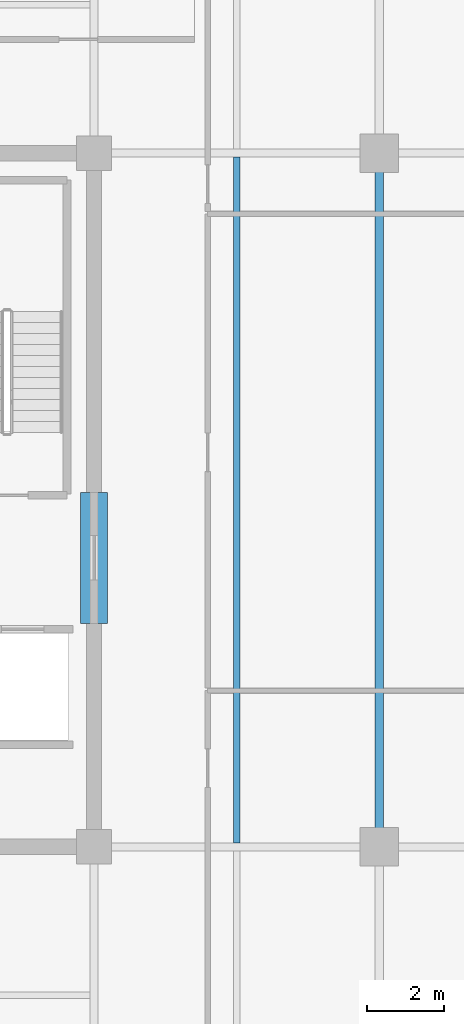
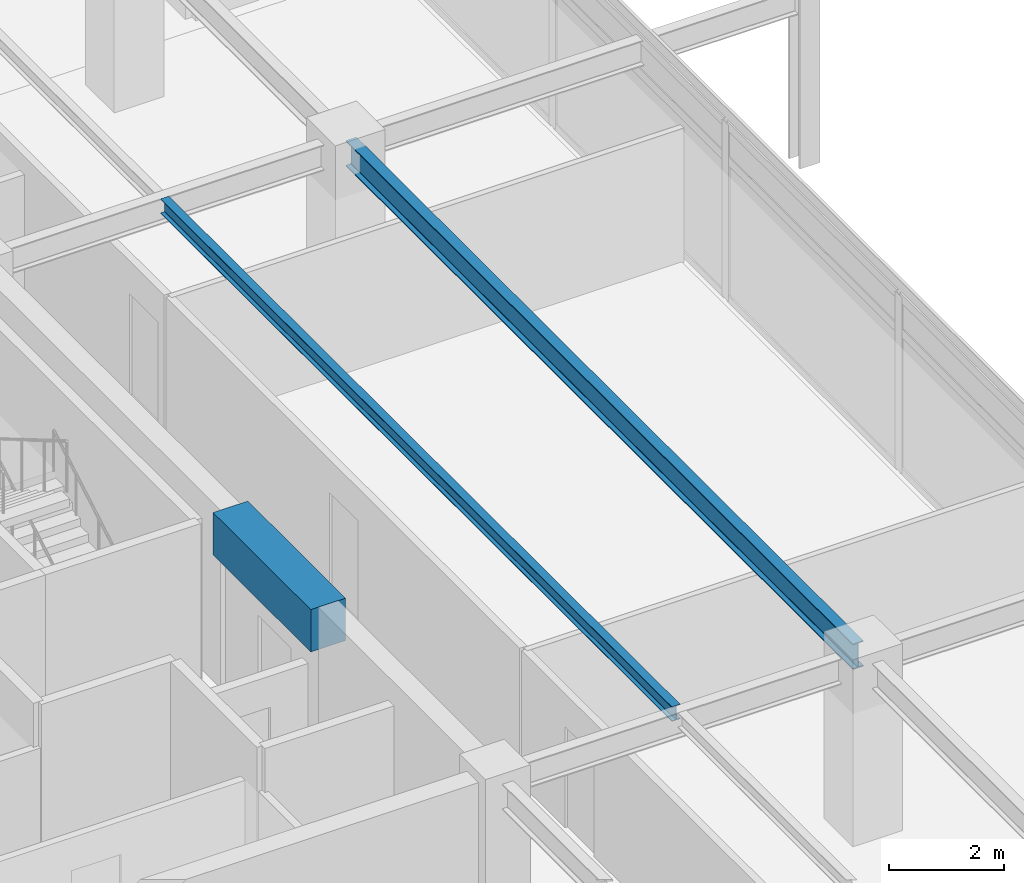
# One storey, part 3 of 21: 3 beams.
"""IFC4 building model written with IfcOpenShell, lengths in metres."""

from ifc_helpers import new_model, si_unit, direction, frame, origin, origin_2d, place, context, subcontext, project, spatial, rectangle, i_section, extrude, material, material_profile, profile_set, type_object, element, save


model = new_model("IFC4")

# Units and contexts
model_context = context("Model", 3, precision=1e-05, world=origin(), true_north=direction((0.0, 1.0)))
body_context = subcontext(model_context, "Body", "Model", "MODEL_VIEW")
ifc_project = project(units=[si_unit("LENGTHUNIT", "METRE"), si_unit("AREAUNIT", "SQUARE_METRE"), si_unit("VOLUMEUNIT", "CUBIC_METRE"), si_unit("PLANEANGLEUNIT", "RADIAN"), si_unit("MASSUNIT", "GRAM", prefix="KILO")], contexts=[model_context])

# Site, building, storey
site_placement = place(None, origin())
site = spatial("IfcSite", under=ifc_project, at=site_placement, CompositionType="ELEMENT")
building_placement = place(site_placement, origin())
building = spatial("IfcBuilding", under=site, at=building_placement, Name="Kovane Verandah Tower", CompositionType="ELEMENT")
storey_placement = place(building_placement, frame((0.0, 0.0, 310.800048828125)))
storey = spatial("IfcBuildingStorey", under=building, at=storey_placement, Name="L72", CompositionType="ELEMENT", Elevation=310.800048828125)

# Beams
ifc_material_1 = material(Name="Concrete C60/75", Category="concrete")
ifc_material_profile_1 = material_profile(ifc_material_1, rectangle(XDim=0.699951171875, YDim=0.89990234375, at=origin_2d()), Name="RCB700x900")
ifc_profile_set_1 = profile_set([ifc_material_profile_1], Name="Concrete C60/75")
beam_type_1 = type_object("IfcBeamType", Name="BM-LINTEL-700x900", PredefinedType="LINTEL", material=ifc_profile_set_1)
beam_1_placement = place(storey_placement, frame((51.0, 24.300048828125, 3.3349609375), z_axis=(0.0, 1.0, 0.0), x_axis=(-1.0, 0.0, 0.0)))
element("IfcBeam", 1, at=beam_1_placement, inside=storey, type_object=beam_type_1, Name="L72 Core Coupling Lintel CL-E", PredefinedType="LINTEL", context=body_context, shape_type="SweptSolid", body=[
    extrude(rectangle(XDim=0.699951171875, YDim=0.89990234375, at=origin_2d()), origin(), (0.0, 0.0, 1.0), 3.39990234375),
])
ifc_material_2 = material(Name="Steel S355", Category="steel")
ifc_material_profile_2 = material_profile(ifc_material_2, i_section(OverallWidth=0.2119140625, OverallDepth=0.54443359375, WebThickness=0.0126953125, FlangeThickness=0.021240234375, FilletRadius=0.0126953125, at=origin_2d()), Name="UB533x210x122")
ifc_profile_set_2 = profile_set([ifc_material_profile_2], Name="Steel S355")
beam_type_2 = type_object("IfcBeamType", Name="BM-UB533x122", PredefinedType="BEAM", material=ifc_profile_set_2)
beam_2_placement = place(storey_placement, frame((58.39990234375, 18.679931640625, 3.5126953125), z_axis=(0.0, 1.0, 0.0), x_axis=(-1.0, 0.0, 0.0)))
element("IfcBeam", 2, at=beam_2_placement, inside=storey, type_object=beam_type_2, Name="L72 Primary Tower Girder G-RE2", PredefinedType="BEAM", context=body_context, shape_type="SweptSolid", body=[
    extrude(i_section(OverallWidth=0.2119140625, OverallDepth=0.54443359375, WebThickness=0.0126953125, FlangeThickness=0.021240234375, FilletRadius=0.0126953125, at=origin_2d()), origin(), (0.0, 0.0, 1.0), 17.64013671875),
])
ifc_material_profile_3 = material_profile(ifc_material_2, i_section(OverallWidth=0.1669921875, OverallDepth=0.310302734375, WebThickness=0.0078125, FlangeThickness=0.013671875, FilletRadius=0.0087890625, at=origin_2d()), Name="UB305x165x54")
ifc_profile_set_3 = profile_set([ifc_material_profile_3], Name="Steel S355")
beam_type_3 = type_object("IfcBeamType", Name="JST-UB305x54", PredefinedType="JOIST", material=ifc_profile_set_3)
beam_3_placement = place(storey_placement, frame((54.699951171875, 18.60400390625, 3.629638671875), z_axis=(0.0, 1.0, 0.0), x_axis=(-1.0, 0.0, 0.0)))
element("IfcBeam", 3, at=beam_3_placement, inside=storey, type_object=beam_type_3, Name="L72 Secondary Composite Joist J-E1", PredefinedType="JOIST", context=body_context, shape_type="SweptSolid", body=[
    extrude(i_section(OverallWidth=0.1669921875, OverallDepth=0.310302734375, WebThickness=0.0078125, FlangeThickness=0.013671875, FilletRadius=0.0087890625, at=origin_2d()), origin(), (0.0, 0.0, 1.0), 17.7919921875),
])

save(model, "model.ifc")
